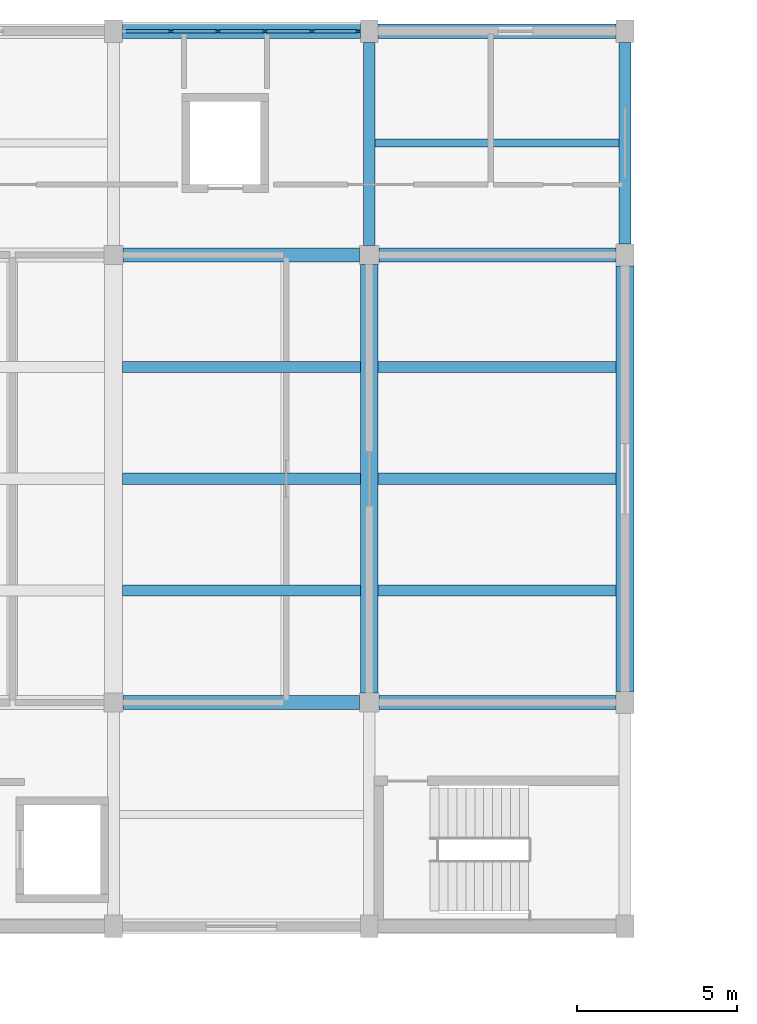
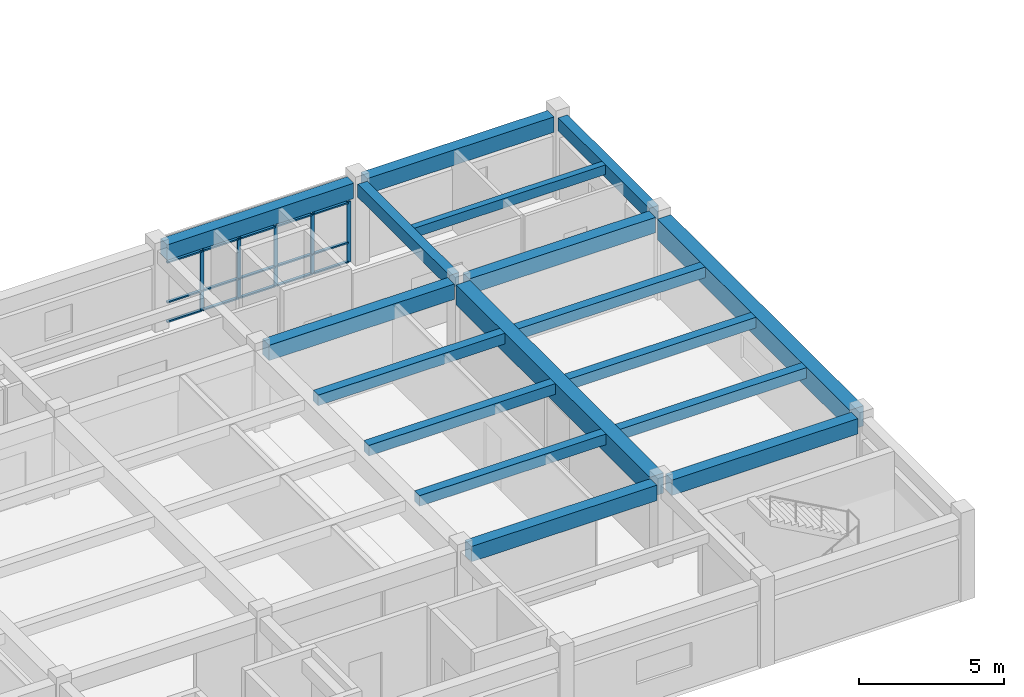
# One storey, part 3 of 17: 20 members, 17 beams, 1 element without a shape of its own.
"""IFC4 building model written with IfcOpenShell, lengths in metres."""

from ifc_helpers import new_model, si_unit, direction, frame, origin, origin_2d, place, context, subcontext, project, spatial, rectangle, extrude, material, layer, layer_set, material_profile, profile_set, type_object, element, aggregate, save


model = new_model("IFC4")

# Units and contexts
model_context = context("Model", 3, precision=1e-05, world=origin(), true_north=direction((0.0, 1.0)))
body_context = subcontext(model_context, "Body", "Model", "MODEL_VIEW")
ifc_project = project(units=[si_unit("LENGTHUNIT", "METRE"), si_unit("AREAUNIT", "SQUARE_METRE"), si_unit("VOLUMEUNIT", "CUBIC_METRE"), si_unit("PLANEANGLEUNIT", "RADIAN"), si_unit("MASSUNIT", "GRAM", prefix="KILO")], contexts=[model_context])

# Site, building, storey
site_placement = place(None, origin())
site = spatial("IfcSite", under=ifc_project, at=site_placement, CompositionType="ELEMENT")
building_placement = place(site_placement, origin())
building = spatial("IfcBuilding", under=site, at=building_placement, Name="Naurynzar Civic Courthouse", CompositionType="ELEMENT")
storey_placement = place(building_placement, frame((0.0, 0.0, 29.550048828125)))
storey = spatial("IfcBuildingStorey", under=building, at=storey_placement, Name="L08", CompositionType="ELEMENT", Elevation=29.550048828125)

# Beams
ifc_material_1 = material(Name="Concrete C40/50", Category="concrete")
ifc_material_profile_1 = material_profile(ifc_material_1, rectangle(XDim=0.25, YDim=0.39990234375, at=origin_2d()), Name="RCB 250x400")
ifc_profile_set_1 = profile_set([ifc_material_profile_1], Name="Concrete C40/50")
beam_type_1 = type_object("IfcBeamType", Name="BM-JST-250x400", PredefinedType="JOIST", material=ifc_profile_set_1)
beam_1_placement = place(storey_placement, frame((101.1875, 68.5, 3.22998046875), z_axis=(1.0, 0.0, 0.0), x_axis=(0.0, 1.0, 0.0)))
element("IfcBeam", 1, at=beam_1_placement, inside=storey, type_object=beam_type_1, Name="V2 secondary rib 1069 L08", PredefinedType="JOIST", context=body_context, shape_type="SweptSolid", body=[
    extrude(rectangle(XDim=0.25, YDim=0.39990234375, at=origin_2d()), origin(), (0.0, 0.0, 1.0), 7.625),
])
ifc_material_2 = material(Name="Concrete C40/50", Category="concrete")
ifc_material_profile_2 = material_profile(ifc_material_2, rectangle(XDim=0.550048828125, YDim=0.85009765625, at=origin_2d()), Name="PTB 550x850")
ifc_profile_set_2 = profile_set([ifc_material_profile_2], Name="Concrete C40/50")
beam_type_2 = type_object("IfcBeamType", Name="BM-PT-550x850", PredefinedType="T_BEAM", material=ifc_profile_set_2)
beam_2_placement = place(storey_placement, frame((101.0, 51.300048828125, 3.0048828125), z_axis=(0.0, 1.0, 0.0), x_axis=(-1.0, 0.0, 0.0)))
element("IfcBeam", 2, at=beam_2_placement, inside=storey, type_object=beam_type_2, Name="V2 girder Y-1040 L08", PredefinedType="T_BEAM", context=body_context, shape_type="SweptSolid", body=[
    extrude(rectangle(XDim=0.550048828125, YDim=0.85009765625, at=origin_2d()), origin(), (0.0, 0.0, 1.0), 13.39990234375),
])
beam_3_placement = place(storey_placement, frame((109.0, 51.35009765625, 3.0048828125), z_axis=(0.0, 1.0, 0.0), x_axis=(-1.0, 0.0, 0.0)))
element("IfcBeam", 3, at=beam_3_placement, inside=storey, type_object=beam_type_2, Name="V2 girder Y-1043 L08", PredefinedType="T_BEAM", context=body_context, shape_type="SweptSolid", body=[
    extrude(rectangle(XDim=0.550048828125, YDim=0.85009765625, at=origin_2d()), origin(), (0.0, 0.0, 1.0), 13.2998046875),
])
ifc_material_3 = material(Name="Concrete C40/50", Category="concrete")
ifc_material_profile_3 = material_profile(ifc_material_3, rectangle(XDim=0.35009765625, YDim=0.449951171875, at=origin_2d()), Name="RCB 350x450")
ifc_profile_set_3 = profile_set([ifc_material_profile_3], Name="Concrete C40/50")
beam_type_3 = type_object("IfcBeamType", Name="BM-RC-350x450", PredefinedType="BEAM", material=ifc_profile_set_3)
for number, where, z_axis, x_axis, name in (
    (4, (93.27490234375, 54.5, 3.204833984375), (1.0, 0.0, 0.0), (0.0, 1.0, 0.0), "V2 secondary rib 1059 L08"),
    (5, (93.27490234375, 58.0, 3.204833984375), (1.0, 0.0, 0.0), (0.0, 1.0, 0.0), "V2 secondary rib 1060 L08"),
    (6, (93.27490234375, 61.5, 3.204833984375), (1.0, 0.0, 0.0), (0.0, 1.0, 0.0), "V2 secondary rib 1061 L08"),
    (7, (101.27490234375, 54.5, 3.204833984375), (1.0, 0.0, 0.0), (0.0, 1.0, 0.0), "V2 secondary rib 1062 L08"),
    (8, (101.27490234375, 58.0, 3.204833984375), (1.0, 0.0, 0.0), (0.0, 1.0, 0.0), "V2 secondary rib 1063 L08"),
    (9, (101.27490234375, 61.5, 3.204833984375), (1.0, 0.0, 0.0), (0.0, 1.0, 0.0), "V2 secondary rib 1064 L08"),
):
    element("IfcBeam", number, at=place(storey_placement, frame(where, z_axis=z_axis, x_axis=x_axis)), inside=storey, type_object=beam_type_3, Name=name, PredefinedType="BEAM", context=body_context, shape_type="SweptSolid", body=[
        extrude(rectangle(XDim=0.35009765625, YDim=0.449951171875, at=origin_2d()), origin(), (0.0, 0.0, 1.0), 7.4501953125),
    ])
ifc_material_4 = material(Name="Concrete C40/50", Category="concrete")
ifc_material_profile_4 = material_profile(ifc_material_4, rectangle(XDim=0.375, YDim=0.550048828125, at=origin_2d()), Name="RCB 375x550")
ifc_profile_set_4 = profile_set([ifc_material_profile_4], Name="Concrete C40/50")
beam_type_4 = type_object("IfcBeamType", Name="BM-RC-375x550", PredefinedType="BEAM", material=ifc_profile_set_4)
beam_4_placement = place(storey_placement, frame((101.0, 65.300048828125, 3.155029296875), z_axis=(0.0, 1.0, 0.0), x_axis=(-1.0, 0.0, 0.0)))
element("IfcBeam", 10, at=beam_4_placement, inside=storey, type_object=beam_type_4, Name="V2 girder Y-1041 L08", PredefinedType="BEAM", context=body_context, shape_type="SweptSolid", body=[
    extrude(rectangle(XDim=0.375, YDim=0.550048828125, at=origin_2d()), origin(), (0.0, 0.0, 1.0), 6.349853515625),
])
beam_5_placement = place(storey_placement, frame((109.0, 65.35009765625, 3.155029296875), z_axis=(0.0, 1.0, 0.0), x_axis=(-1.0, 0.0, 0.0)))
element("IfcBeam", 11, at=beam_5_placement, inside=storey, type_object=beam_type_4, Name="V2 girder Y-1044 L08", PredefinedType="BEAM", context=body_context, shape_type="SweptSolid", body=[
    extrude(rectangle(XDim=0.375, YDim=0.550048828125, at=origin_2d()), origin(), (0.0, 0.0, 1.0), 6.2998046875),
])
ifc_material_5 = material(Name="Concrete C40/50", Category="concrete")
ifc_material_profile_5 = material_profile(ifc_material_5, rectangle(XDim=0.449951171875, YDim=0.64990234375, at=origin_2d()), Name="RCB 450x650")
ifc_profile_set_5 = profile_set([ifc_material_profile_5], Name="Concrete C40/50")
beam_type_5 = type_object("IfcBeamType", Name="BM-RC-450x650", PredefinedType="BEAM", material=ifc_profile_set_5)
beam_6_placement = place(storey_placement, frame((93.300048828125, 51.0, 3.10498046875), z_axis=(1.0, 0.0, 0.0), x_axis=(0.0, 1.0, 0.0)))
element("IfcBeam", 12, at=beam_6_placement, inside=storey, type_object=beam_type_5, Name="V2 beam X-1010 L08", PredefinedType="BEAM", context=body_context, shape_type="SweptSolid", body=[
    extrude(rectangle(XDim=0.449951171875, YDim=0.64990234375, at=origin_2d()), origin(), (0.0, 0.0, 1.0), 7.39990234375),
])
beam_7_placement = place(storey_placement, frame((101.300048828125, 51.0, 3.10498046875), z_axis=(1.0, 0.0, 0.0), x_axis=(0.0, 1.0, 0.0)))
element("IfcBeam", 13, at=beam_7_placement, inside=storey, type_object=beam_type_5, Name="V2 beam X-1011 L08", PredefinedType="BEAM", context=body_context, shape_type="SweptSolid", body=[
    extrude(rectangle(XDim=0.449951171875, YDim=0.64990234375, at=origin_2d()), origin(), (0.0, 0.0, 1.0), 7.425048828125),
])
beam_8_placement = place(storey_placement, frame((93.300048828125, 65.0, 3.10498046875), z_axis=(1.0, 0.0, 0.0), x_axis=(0.0, 1.0, 0.0)))
element("IfcBeam", 14, at=beam_8_placement, inside=storey, type_object=beam_type_5, Name="V2 beam X-1016 L08", PredefinedType="BEAM", context=body_context, shape_type="SweptSolid", body=[
    extrude(rectangle(XDim=0.449951171875, YDim=0.64990234375, at=origin_2d()), origin(), (0.0, 0.0, 1.0), 7.39990234375),
])
beam_9_placement = place(storey_placement, frame((101.300048828125, 65.0, 3.10498046875), z_axis=(1.0, 0.0, 0.0), x_axis=(0.0, 1.0, 0.0)))
element("IfcBeam", 15, at=beam_9_placement, inside=storey, type_object=beam_type_5, Name="V2 beam X-1017 L08", PredefinedType="BEAM", context=body_context, shape_type="SweptSolid", body=[
    extrude(rectangle(XDim=0.449951171875, YDim=0.64990234375, at=origin_2d()), origin(), (0.0, 0.0, 1.0), 7.425048828125),
])
for number, where, z_axis, x_axis, name in (
    (16, (93.27490234375, 72.0, 3.10498046875), (1.0, 0.0, 0.0), (0.0, 1.0, 0.0), "V2 beam X-1022 L08"),
    (17, (101.27490234375, 72.0, 3.10498046875), (1.0, 0.0, 0.0), (0.0, 1.0, 0.0), "V2 beam X-1023 L08"),
):
    element("IfcBeam", number, at=place(storey_placement, frame(where, z_axis=z_axis, x_axis=x_axis)), inside=storey, type_object=beam_type_5, Name=name, PredefinedType="BEAM", context=body_context, shape_type="SweptSolid", body=[
        extrude(rectangle(XDim=0.449951171875, YDim=0.64990234375, at=origin_2d()), origin(), (0.0, 0.0, 1.0), 7.4501953125),
    ])

# Curtain wall, members
ifc_material_6 = material(Name="Aluminium 6063-T6", Category="aluminium")
ifc_layer = layer(ifc_material_6, 0.179931640625)
ifc_layer_set = layer_set([ifc_layer], Name="CW-UNIT-1500")
curtain_wall_type = type_object("IfcCurtainWallType", Name="CW-UNIT-1500", PredefinedType="NOTDEFINED", material=ifc_layer_set)
curtain_wall_placement = place(storey_placement, origin())
curtain_wall = element("IfcCurtainWall", 18, at=curtain_wall_placement, inside=storey, type_object=curtain_wall_type, Name="V2 unitised curtain wall 56 L08", PredefinedType="NOTDEFINED")
ifc_material_7 = material(Name="Aluminium 6063-T6", Category="aluminium")
ifc_material_profile_6 = material_profile(ifc_material_7, rectangle(XDim=0.06005859375, YDim=0.14990234375, at=origin_2d()), Name="ALU MULLION 60x150")
ifc_profile_set_6 = profile_set([ifc_material_profile_6], Name="Aluminium 6063-T6")
member_type_1 = type_object("IfcMemberType", Name="CWM-60x150", PredefinedType="MULLION", material=ifc_profile_set_6)
member_1_placement = place(storey_placement, frame((94.794921875, 72.0, 0.0), z_axis=(0.0, 0.0, 1.0), x_axis=(0.0, 1.0, 0.0)))
member_1 = element("IfcMember", 19, at=member_1_placement, type_object=member_type_1, Name="CW-01 mullion 2", PredefinedType="MULLION", context=body_context, shape_type="SweptSolid", body=[
    extrude(rectangle(XDim=0.06005859375, YDim=0.14990234375, at=origin_2d()), origin(), (0.0, 0.0, 1.0), 2.56005859375),
])
member_2_placement = place(storey_placement, frame((96.264892578125, 72.0, 0.0), z_axis=(0.0, 0.0, 1.0), x_axis=(0.0, 1.0, 0.0)))
member_2 = element("IfcMember", 20, at=member_2_placement, type_object=member_type_1, Name="CW-01 mullion 3", PredefinedType="MULLION", context=body_context, shape_type="SweptSolid", body=[
    extrude(rectangle(XDim=0.06005859375, YDim=0.14990234375, at=origin_2d()), origin(), (0.0, 0.0, 1.0), 2.56005859375),
])
member_3_placement = place(storey_placement, frame((97.735107421875, 72.0, 0.0), z_axis=(0.0, 0.0, 1.0), x_axis=(0.0, 1.0, 0.0)))
member_3 = element("IfcMember", 21, at=member_3_placement, type_object=member_type_1, Name="CW-01 mullion 4", PredefinedType="MULLION", context=body_context, shape_type="SweptSolid", body=[
    extrude(rectangle(XDim=0.06005859375, YDim=0.14990234375, at=origin_2d()), origin(), (0.0, 0.0, 1.0), 2.56005859375),
])
member_4_placement = place(storey_placement, frame((99.205078125, 72.0, 0.0), z_axis=(0.0, 0.0, 1.0), x_axis=(0.0, 1.0, 0.0)))
member_4 = element("IfcMember", 22, at=member_4_placement, type_object=member_type_1, Name="CW-01 mullion 5", PredefinedType="MULLION", context=body_context, shape_type="SweptSolid", body=[
    extrude(rectangle(XDim=0.06005859375, YDim=0.14990234375, at=origin_2d()), origin(), (0.0, 0.0, 1.0), 2.56005859375),
])
member_5_placement = place(storey_placement, frame((100.64501953125, 72.0, 0.0), z_axis=(0.0, 0.0, 1.0), x_axis=(0.0, 1.0, 0.0)))
member_5 = element("IfcMember", 23, at=member_5_placement, type_object=member_type_1, Name="CW-01 mullion 6", PredefinedType="MULLION", context=body_context, shape_type="SweptSolid", body=[
    extrude(rectangle(XDim=0.06005859375, YDim=0.14990234375, at=origin_2d()), origin(), (0.0, 0.0, 1.0), 2.56005859375),
])
ifc_material_8 = material(Name="Aluminium 6063-T6", Category="aluminium")
ifc_material_profile_7 = material_profile(ifc_material_8, rectangle(XDim=0.110107421875, YDim=0.06005859375, at=origin_2d()), Name="ALU TRANSOM 60x110")
ifc_profile_set_7 = profile_set([ifc_material_profile_7], Name="Aluminium 6063-T6")
member_type_2 = type_object("IfcMemberType", Name="CWT-60x110", PredefinedType="USERDEFINED", material=ifc_profile_set_7)
member_6_placement = place(storey_placement, frame((93.385009765625, 72.0, 0.030029296875), z_axis=(1.0, 0.0, 0.0), x_axis=(0.0, 1.0, 0.0)))
member_6 = element("IfcMember", 24, at=member_6_placement, type_object=member_type_2, Name="CW-01 transom 1.1", ObjectType="TRANSOM", PredefinedType="USERDEFINED", context=body_context, shape_type="SweptSolid", body=[
    extrude(rectangle(XDim=0.110107421875, YDim=0.06005859375, at=origin_2d()), origin(), (0.0, 0.0, 1.0), 1.3798828125),
])
member_7_placement = place(storey_placement, frame((93.385009765625, 72.0, 0.849853515625), z_axis=(1.0, 0.0, 0.0), x_axis=(0.0, 1.0, 0.0)))
member_7 = element("IfcMember", 25, at=member_7_placement, type_object=member_type_2, Name="CW-01 transom 1.2", ObjectType="TRANSOM", PredefinedType="USERDEFINED", context=body_context, shape_type="SweptSolid", body=[
    extrude(rectangle(XDim=0.110107421875, YDim=0.06005859375, at=origin_2d()), origin(), (0.0, 0.0, 1.0), 1.3798828125),
])
member_8_placement = place(storey_placement, frame((93.385009765625, 72.0, 2.530029296875), z_axis=(1.0, 0.0, 0.0), x_axis=(0.0, 1.0, 0.0)))
member_8 = element("IfcMember", 26, at=member_8_placement, type_object=member_type_2, Name="CW-01 transom 1.3", ObjectType="TRANSOM", PredefinedType="USERDEFINED", context=body_context, shape_type="SweptSolid", body=[
    extrude(rectangle(XDim=0.110107421875, YDim=0.06005859375, at=origin_2d()), origin(), (0.0, 0.0, 1.0), 1.3798828125),
])
member_9_placement = place(storey_placement, frame((94.824951171875, 72.0, 0.030029296875), z_axis=(1.0, 0.0, 0.0), x_axis=(0.0, 1.0, 0.0)))
member_9 = element("IfcMember", 27, at=member_9_placement, type_object=member_type_2, Name="CW-01 transom 2.1", ObjectType="TRANSOM", PredefinedType="USERDEFINED", context=body_context, shape_type="SweptSolid", body=[
    extrude(rectangle(XDim=0.110107421875, YDim=0.06005859375, at=origin_2d()), origin(), (0.0, 0.0, 1.0), 1.41015625),
])
member_10_placement = place(storey_placement, frame((94.824951171875, 72.0, 0.849853515625), z_axis=(1.0, 0.0, 0.0), x_axis=(0.0, 1.0, 0.0)))
member_10 = element("IfcMember", 28, at=member_10_placement, type_object=member_type_2, Name="CW-01 transom 2.2", ObjectType="TRANSOM", PredefinedType="USERDEFINED", context=body_context, shape_type="SweptSolid", body=[
    extrude(rectangle(XDim=0.110107421875, YDim=0.06005859375, at=origin_2d()), origin(), (0.0, 0.0, 1.0), 1.41015625),
])
member_11_placement = place(storey_placement, frame((94.824951171875, 72.0, 2.530029296875), z_axis=(1.0, 0.0, 0.0), x_axis=(0.0, 1.0, 0.0)))
member_11 = element("IfcMember", 29, at=member_11_placement, type_object=member_type_2, Name="CW-01 transom 2.3", ObjectType="TRANSOM", PredefinedType="USERDEFINED", context=body_context, shape_type="SweptSolid", body=[
    extrude(rectangle(XDim=0.110107421875, YDim=0.06005859375, at=origin_2d()), origin(), (0.0, 0.0, 1.0), 1.41015625),
])
member_12_placement = place(storey_placement, frame((96.294921875, 72.0, 0.030029296875), z_axis=(1.0, 0.0, 0.0), x_axis=(0.0, 1.0, 0.0)))
member_12 = element("IfcMember", 30, at=member_12_placement, type_object=member_type_2, Name="CW-01 transom 3.1", ObjectType="TRANSOM", PredefinedType="USERDEFINED", context=body_context, shape_type="SweptSolid", body=[
    extrude(rectangle(XDim=0.110107421875, YDim=0.06005859375, at=origin_2d()), origin(), (0.0, 0.0, 1.0), 1.41015625),
])
member_13_placement = place(storey_placement, frame((96.294921875, 72.0, 0.849853515625), z_axis=(1.0, 0.0, 0.0), x_axis=(0.0, 1.0, 0.0)))
member_13 = element("IfcMember", 31, at=member_13_placement, type_object=member_type_2, Name="CW-01 transom 3.2", ObjectType="TRANSOM", PredefinedType="USERDEFINED", context=body_context, shape_type="SweptSolid", body=[
    extrude(rectangle(XDim=0.110107421875, YDim=0.06005859375, at=origin_2d()), origin(), (0.0, 0.0, 1.0), 1.41015625),
])
member_14_placement = place(storey_placement, frame((96.294921875, 72.0, 2.530029296875), z_axis=(1.0, 0.0, 0.0), x_axis=(0.0, 1.0, 0.0)))
member_14 = element("IfcMember", 32, at=member_14_placement, type_object=member_type_2, Name="CW-01 transom 3.3", ObjectType="TRANSOM", PredefinedType="USERDEFINED", context=body_context, shape_type="SweptSolid", body=[
    extrude(rectangle(XDim=0.110107421875, YDim=0.06005859375, at=origin_2d()), origin(), (0.0, 0.0, 1.0), 1.41015625),
])
member_15_placement = place(storey_placement, frame((97.764892578125, 72.0, 0.030029296875), z_axis=(1.0, 0.0, 0.0), x_axis=(0.0, 1.0, 0.0)))
member_15 = element("IfcMember", 33, at=member_15_placement, type_object=member_type_2, Name="CW-01 transom 4.1", ObjectType="TRANSOM", PredefinedType="USERDEFINED", context=body_context, shape_type="SweptSolid", body=[
    extrude(rectangle(XDim=0.110107421875, YDim=0.06005859375, at=origin_2d()), origin(), (0.0, 0.0, 1.0), 1.41015625),
])
member_16_placement = place(storey_placement, frame((97.764892578125, 72.0, 0.849853515625), z_axis=(1.0, 0.0, 0.0), x_axis=(0.0, 1.0, 0.0)))
member_16 = element("IfcMember", 34, at=member_16_placement, type_object=member_type_2, Name="CW-01 transom 4.2", ObjectType="TRANSOM", PredefinedType="USERDEFINED", context=body_context, shape_type="SweptSolid", body=[
    extrude(rectangle(XDim=0.110107421875, YDim=0.06005859375, at=origin_2d()), origin(), (0.0, 0.0, 1.0), 1.41015625),
])
member_17_placement = place(storey_placement, frame((97.764892578125, 72.0, 2.530029296875), z_axis=(1.0, 0.0, 0.0), x_axis=(0.0, 1.0, 0.0)))
member_17 = element("IfcMember", 35, at=member_17_placement, type_object=member_type_2, Name="CW-01 transom 4.3", ObjectType="TRANSOM", PredefinedType="USERDEFINED", context=body_context, shape_type="SweptSolid", body=[
    extrude(rectangle(XDim=0.110107421875, YDim=0.06005859375, at=origin_2d()), origin(), (0.0, 0.0, 1.0), 1.41015625),
])
member_18_placement = place(storey_placement, frame((99.235107421875, 72.0, 0.030029296875), z_axis=(1.0, 0.0, 0.0), x_axis=(0.0, 1.0, 0.0)))
member_18 = element("IfcMember", 36, at=member_18_placement, type_object=member_type_2, Name="CW-01 transom 5.1", ObjectType="TRANSOM", PredefinedType="USERDEFINED", context=body_context, shape_type="SweptSolid", body=[
    extrude(rectangle(XDim=0.110107421875, YDim=0.06005859375, at=origin_2d()), origin(), (0.0, 0.0, 1.0), 1.3798828125),
])
member_19_placement = place(storey_placement, frame((99.235107421875, 72.0, 0.849853515625), z_axis=(1.0, 0.0, 0.0), x_axis=(0.0, 1.0, 0.0)))
member_19 = element("IfcMember", 37, at=member_19_placement, type_object=member_type_2, Name="CW-01 transom 5.2", ObjectType="TRANSOM", PredefinedType="USERDEFINED", context=body_context, shape_type="SweptSolid", body=[
    extrude(rectangle(XDim=0.110107421875, YDim=0.06005859375, at=origin_2d()), origin(), (0.0, 0.0, 1.0), 1.3798828125),
])
member_20_placement = place(storey_placement, frame((99.235107421875, 72.0, 2.530029296875), z_axis=(1.0, 0.0, 0.0), x_axis=(0.0, 1.0, 0.0)))
member_20 = element("IfcMember", 38, at=member_20_placement, type_object=member_type_2, Name="CW-01 transom 5.3", ObjectType="TRANSOM", PredefinedType="USERDEFINED", context=body_context, shape_type="SweptSolid", body=[
    extrude(rectangle(XDim=0.110107421875, YDim=0.06005859375, at=origin_2d()), origin(), (0.0, 0.0, 1.0), 1.3798828125),
])
aggregate(curtain_wall, [member_1, member_2, member_3, member_4, member_5, member_6, member_7, member_8, member_9, member_10, member_11, member_12, member_13, member_14, member_15, member_16, member_17, member_18, member_19, member_20])

save(model, "model.ifc")
